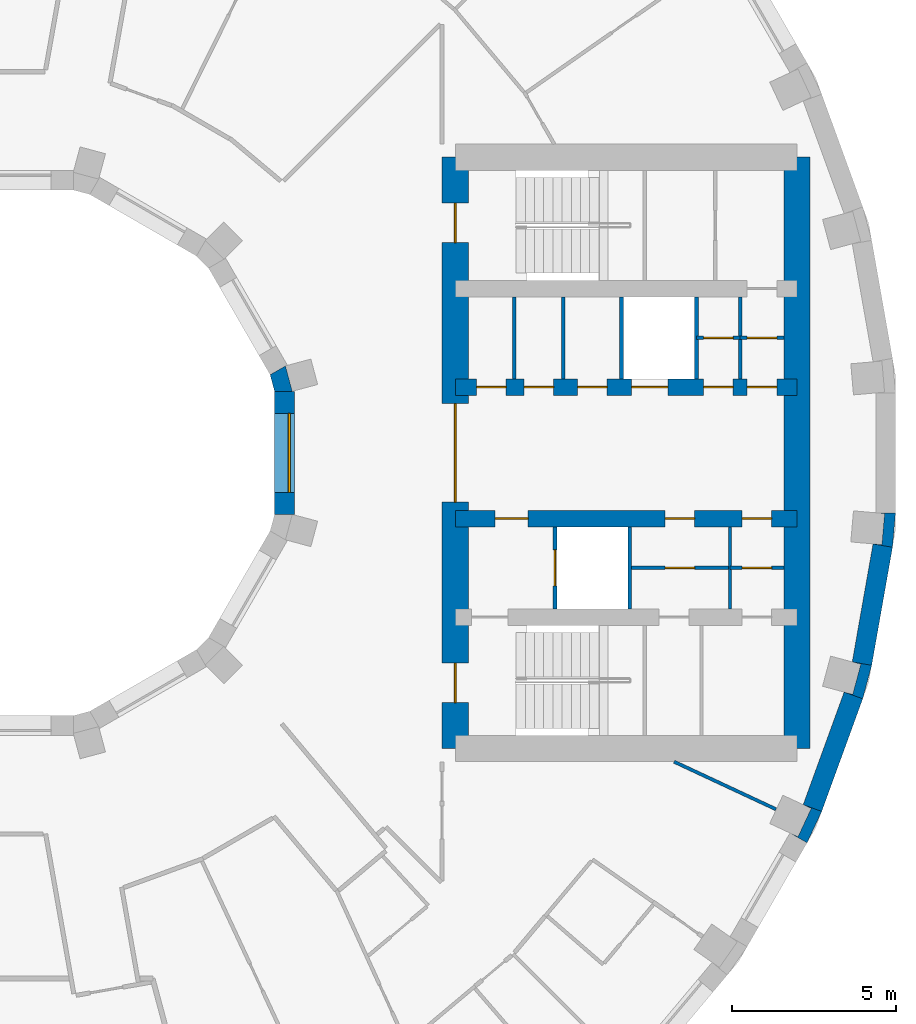
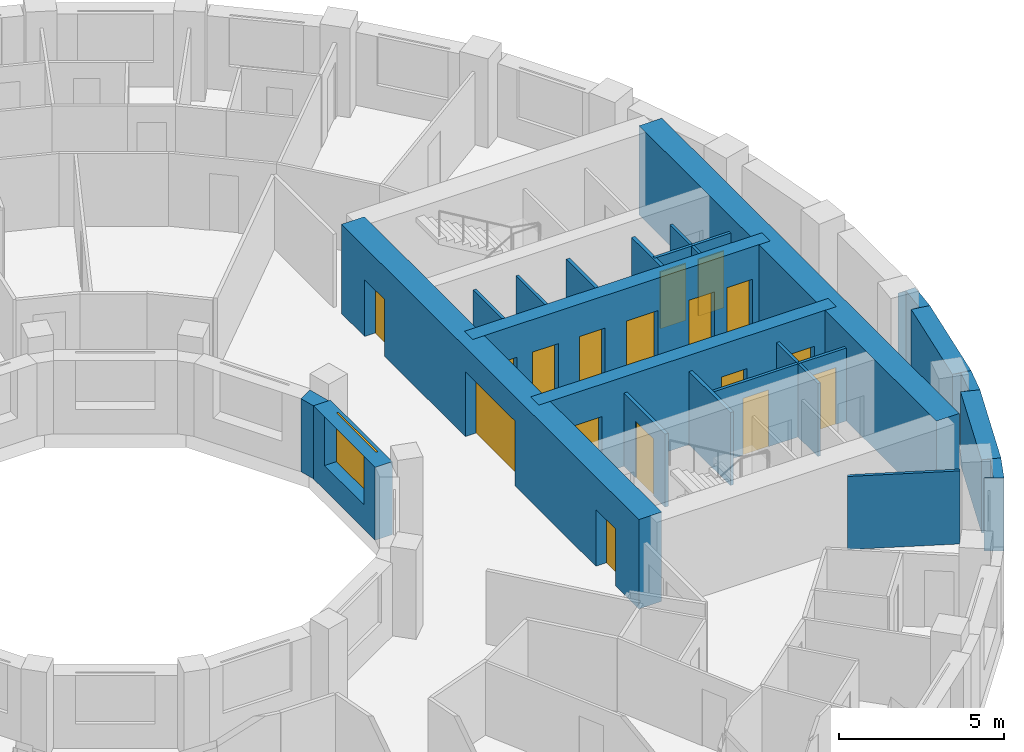
# One storey, part 10 of 16: 24 walls, 17 doors, 1 window, 18 openings.
"""IFC4 building model written with IfcOpenShell, lengths in metres."""

from ifc_helpers import new_model, si_unit, direction, frame, frame_2d, origin, place, context, subcontext, project, spatial, polyline, rectangle, outline, extrude, material, layer, layer_set, type_object, element, fill, save


model = new_model("IFC4")

# Units and contexts
model_context = context("Model", 3, precision=1e-05, world=origin(), true_north=direction((0.0, 1.0)))
body_context = subcontext(model_context, "Body", "Model", "MODEL_VIEW")
ifc_project = project(units=[si_unit("LENGTHUNIT", "METRE"), si_unit("AREAUNIT", "SQUARE_METRE"), si_unit("VOLUMEUNIT", "CUBIC_METRE"), si_unit("PLANEANGLEUNIT", "RADIAN"), si_unit("MASSUNIT", "GRAM", prefix="KILO")], contexts=[model_context])

# Site, building, storey
site_placement = place(None, origin())
site = spatial("IfcSite", under=ifc_project, at=site_placement, CompositionType="ELEMENT")
building_placement = place(site_placement, origin())
building = spatial("IfcBuilding", under=site, at=building_placement, Name="Saqina Gate Tower", CompositionType="ELEMENT")
storey_placement = place(building_placement, frame((0.0, 0.0, 148.0)))
storey = spatial("IfcBuildingStorey", under=building, at=storey_placement, Name="L42", CompositionType="ELEMENT", Elevation=148.0)

# Walls
ifc_material_1 = material(Name="Brick masonry (buff)", Category="masonry")
wall_type_1 = type_object("IfcWallType", Name="BRICK PIER COPING BUFF", PredefinedType="SOLIDWALL", material=ifc_material_1)
wall_1_placement = place(storey_placement, origin())
element("IfcWall", 1, at=wall_1_placement, inside=storey, type_object=wall_type_1, Name="Pier cap L42 column 34", PredefinedType="SOLIDWALL", context=body_context, shape_type="SweptSolid", body=[
    extrude(outline(polyline([(24.6513671875, -10.913330078125), (24.08740234375, -10.7080078125), (24.331298828125, -10.82177734375), (23.9296875, -11.6826171875), (23.68603515625, -11.569091796875), (24.205810546875, -11.869140625), (24.6513671875, -10.913330078125)])), origin(), (0.0, 0.0, 1.0), 2.699951171875),
])
wall_2_placement = place(storey_placement, origin())
element("IfcWall", 2, at=wall_2_placement, inside=storey, type_object=wall_type_1, Name="Pier cap L42 column 35", PredefinedType="SOLIDWALL", context=body_context, shape_type="SweptSolid", body=[
    extrude(outline(polyline([(25.89892578125, -7.485595703125), (26.171875, -6.466796875), (25.5810546875, -6.36279296875), (25.8408203125, -6.43212890625), (25.5947265625, -7.349853515625), (25.335205078125, -7.2802734375), (25.89892578125, -7.485595703125)])), origin(), (0.0, 0.0, 1.0), 2.699951171875),
])
wall_3_placement = place(storey_placement, origin())
element("IfcWall", 3, at=wall_3_placement, inside=storey, type_object=wall_type_1, Name="Pier cap L42 column 36", PredefinedType="SOLIDWALL", context=body_context, shape_type="SweptSolid", body=[
    extrude(outline(polyline([(26.805419921875, -2.87451171875), (26.897216796875, -1.823974609375), (26.29736328125, -1.823974609375), (26.565185546875, -1.847412109375), (26.482421875, -2.793701171875), (26.214599609375, -2.770263671875), (26.805419921875, -2.87451171875)])), origin(), (0.0, 0.0, 1.0), 2.699951171875),
])
ifc_material_2 = material(Name="Gypsum board on steel studs", Category="steel")
ifc_layer_1 = layer(ifc_material_2, 0.10009765625)
ifc_layer_set_1 = layer_set([ifc_layer_1], Name="CORE PARTITION")
wall_type_2 = type_object("IfcWallType", Name="CORE PARTITION", PredefinedType="PARTITIONING", material=ifc_layer_set_1)
for number, where, z_axis, x_axis, name in (
    (4, (15.298095703125, 2.25, 0.0), (0.0, 0.0, 1.0), (0.0, 1.0, 0.0), "L42-CP-E01"),
    (5, (16.789306640625, 2.25, 0.0), (0.0, 0.0, 1.0), (0.0, 1.0, 0.0), "L42-CP-E02"),
    (6, (22.169921875, 2.25, 0.0), (0.0, 0.0, 1.0), (0.0, 1.0, 0.0), "L42-CP-E05"),
    (7, (21.8583984375, -4.75, 0.0), (0.0, 0.0, 1.0), (0.0, 1.0, 0.0), "L42-CP-E08"),
):
    element("IfcWall", number, at=place(storey_placement, frame(where, z_axis=z_axis, x_axis=x_axis)), inside=storey, type_object=wall_type_2, Name=name, PredefinedType="PARTITIONING", context=body_context, shape_type="SweptSolid", body=[
        extrude(rectangle(XDim=2.5, YDim=0.10009765625, at=frame_2d((1.25, 0.0))), origin(), (0.0, 0.0, 1.0), 2.699951171875),
    ])

# Wall, opening, door
wall_4_placement = place(storey_placement, frame((20.840087890625, 3.5, 0.0), z_axis=(0.0, 0.0, 1.0), x_axis=(1.0, 0.0, 0.0)))
wall_4 = element("IfcWall", 8, at=wall_4_placement, inside=storey, type_object=wall_type_2, Name="L42-CP-E09", PredefinedType="PARTITIONING", context=body_context, shape_type="SweptSolid", body=[
    extrude(rectangle(XDim=1.329833984375, YDim=0.10009765625, at=frame_2d((0.6650390625, 0.0))), origin(), (0.0, 0.0, 1.0), 2.699951171875),
])
opening_1_placement = place(wall_4_placement, frame((0.215087890625, 0.0, 0.0)))
opening_1 = element("IfcOpeningElement", 9, at=opening_1_placement, cuts=wall_4, Name="Opening G12-D99", PredefinedType="OPENING", context=body_context, shape_type="SweptSolid", body=[
    extrude(rectangle(XDim=0.89990234375, YDim=2.10009765625, at=frame_2d((0.449951171875, 1.050048828125))), frame((0.0, 0.06201171875, 0.0), z_axis=(0.0, -1.0, 0.0), x_axis=(1.0, 0.0, 0.0)), (0.0, 0.0, 1.0), 0.1240234375),
])
ifc_material_3 = material(Name="Steel-framed fire door leaf, EI 60", Category="steel")
door_type_1 = type_object("IfcDoorType", Name="SERVICE ROOM DOOR 900", OperationType="SINGLE_SWING_LEFT", PredefinedType="DOOR", material=ifc_material_3)
door_1_placement = place(opening_1_placement, origin())
door_1 = element("IfcDoor", 10, at=door_1_placement, inside=storey, type_object=door_type_1, Name="L42-CD-E10", OperationType="SINGLE_SWING_LEFT", OverallHeight=2.10009765625, OverallWidth=0.89990234375, PredefinedType="DOOR", context=body_context, shape_type="SweptSolid", body=[
    extrude(rectangle(XDim=0.89990234375, YDim=2.10009765625, at=frame_2d((0.449951171875, 1.050048828125))), frame((0.0, 0.02490234375, 0.0), z_axis=(0.0, -1.0, 0.0), x_axis=(1.0, 0.0, 0.0)), (0.0, 0.0, 1.0), 0.050048828125),
])
fill(opening_1, door_1)

wall_5_placement = place(storey_placement, frame((22.169921875, 3.5, 0.0), z_axis=(0.0, 0.0, 1.0), x_axis=(1.0, 0.0, 0.0)))
wall_5 = element("IfcWall", 11, at=wall_5_placement, inside=storey, type_object=wall_type_2, Name="L42-CP-E10", PredefinedType="PARTITIONING", context=body_context, shape_type="SweptSolid", body=[
    extrude(rectangle(XDim=1.330078125, YDim=0.10009765625, at=frame_2d((0.6650390625, 0.0))), origin(), (0.0, 0.0, 1.0), 2.699951171875),
])
opening_2_placement = place(wall_5_placement, frame((0.215087890625, 0.0, 0.0)))
opening_2 = element("IfcOpeningElement", 12, at=opening_2_placement, cuts=wall_5, Name="Opening G12-D98", PredefinedType="OPENING", context=body_context, shape_type="SweptSolid", body=[
    extrude(rectangle(XDim=0.89990234375, YDim=2.10009765625, at=frame_2d((0.449951171875, 1.050048828125))), frame((0.0, 0.06201171875, 0.0), z_axis=(0.0, -1.0, 0.0), x_axis=(1.0, 0.0, 0.0)), (0.0, 0.0, 1.0), 0.1240234375),
])
door_2_placement = place(opening_2_placement, origin())
door_2 = element("IfcDoor", 13, at=door_2_placement, inside=storey, type_object=door_type_1, Name="L42-CD-E09", OperationType="SINGLE_SWING_RIGHT", OverallHeight=2.10009765625, OverallWidth=0.89990234375, PredefinedType="DOOR", context=body_context, shape_type="SweptSolid", body=[
    extrude(rectangle(XDim=0.89990234375, YDim=2.10009765625, at=frame_2d((0.449951171875, 1.050048828125))), frame((0.0, 0.02490234375, 0.0), z_axis=(0.0, -1.0, 0.0), x_axis=(1.0, 0.0, 0.0)), (0.0, 0.0, 1.0), 0.050048828125),
])
fill(opening_2, door_2)

wall_6_placement = place(storey_placement, frame((18.81005859375, -3.5, 0.0), z_axis=(0.0, 0.0, 1.0), x_axis=(1.0, 0.0, 0.0)))
wall_6 = element("IfcWall", 14, at=wall_6_placement, inside=storey, type_object=wall_type_2, Name="L42-CP-E11", PredefinedType="PARTITIONING", context=body_context, shape_type="SweptSolid", body=[
    extrude(rectangle(XDim=3.04833984375, YDim=0.10009765625, at=frame_2d((1.524169921875, 0.0))), origin(), (0.0, 0.0, 1.0), 2.699951171875),
])
opening_3_placement = place(wall_6_placement, frame((1.07421875, 0.0, 0.0)))
opening_3 = element("IfcOpeningElement", 15, at=opening_3_placement, cuts=wall_6, Name="Opening G12-D103", PredefinedType="OPENING", context=body_context, shape_type="SweptSolid", body=[
    extrude(rectangle(XDim=0.89990234375, YDim=2.10009765625, at=frame_2d((0.449951171875, 1.050048828125))), frame((0.0, 0.06201171875, 0.0), z_axis=(0.0, -1.0, 0.0), x_axis=(1.0, 0.0, 0.0)), (0.0, 0.0, 1.0), 0.1240234375),
])
door_3_placement = place(opening_3_placement, frame((0.89990234375, 0.0, 0.0), z_axis=(0.0, 0.0, 1.0), x_axis=(-1.0, 0.0, 0.0)))
door_3 = element("IfcDoor", 16, at=door_3_placement, inside=storey, type_object=door_type_1, Name="L42-CD-E14", OperationType="SINGLE_SWING_RIGHT", OverallHeight=2.10009765625, OverallWidth=0.89990234375, PredefinedType="DOOR", context=body_context, shape_type="SweptSolid", body=[
    extrude(rectangle(XDim=0.89990234375, YDim=2.10009765625, at=frame_2d((0.449951171875, 1.050048828125))), frame((0.0, 0.02490234375, 0.0), z_axis=(0.0, -1.0, 0.0), x_axis=(1.0, 0.0, 0.0)), (0.0, 0.0, 1.0), 0.050048828125),
])
fill(opening_3, door_3)

wall_7_placement = place(storey_placement, frame((21.8583984375, -3.5, 0.0), z_axis=(0.0, 0.0, 1.0), x_axis=(1.0, 0.0, 0.0)))
wall_7 = element("IfcWall", 17, at=wall_7_placement, inside=storey, type_object=wall_type_2, Name="L42-CP-E12", PredefinedType="PARTITIONING", context=body_context, shape_type="SweptSolid", body=[
    extrude(rectangle(XDim=1.6416015625, YDim=0.10009765625, at=frame_2d((0.82080078125, 0.0))), origin(), (0.0, 0.0, 1.0), 2.699951171875),
])
opening_4_placement = place(wall_7_placement, frame((0.370849609375, 0.0, 0.0)))
opening_4 = element("IfcOpeningElement", 18, at=opening_4_placement, cuts=wall_7, Name="Opening G12-D102", PredefinedType="OPENING", context=body_context, shape_type="SweptSolid", body=[
    extrude(rectangle(XDim=0.89990234375, YDim=2.10009765625, at=frame_2d((0.449951171875, 1.050048828125))), frame((0.0, 0.06201171875, 0.0), z_axis=(0.0, -1.0, 0.0), x_axis=(1.0, 0.0, 0.0)), (0.0, 0.0, 1.0), 0.1240234375),
])
door_4_placement = place(opening_4_placement, frame((0.89990234375, 0.0, 0.0), z_axis=(0.0, 0.0, 1.0), x_axis=(-1.0, 0.0, 0.0)))
door_4 = element("IfcDoor", 19, at=door_4_placement, inside=storey, type_object=door_type_1, Name="L42-CD-E13", OperationType="SINGLE_SWING_LEFT", OverallHeight=2.10009765625, OverallWidth=0.89990234375, PredefinedType="DOOR", context=body_context, shape_type="SweptSolid", body=[
    extrude(rectangle(XDim=0.89990234375, YDim=2.10009765625, at=frame_2d((0.449951171875, 1.050048828125))), frame((0.0, 0.02490234375, 0.0), z_axis=(0.0, -1.0, 0.0), x_axis=(1.0, 0.0, 0.0)), (0.0, 0.0, 1.0), 0.050048828125),
])
fill(opening_4, door_4)

# Walls
ifc_material_4 = material(Name="Glazed ceramic tile", Category="ceramic")
ifc_layer_2 = layer(ifc_material_4, 0.60009765625)
ifc_layer_set_2 = layer_set([ifc_layer_2], Name="FW-TILE")
wall_type_3 = type_object("IfcWallType", Name="FW-TILE", PredefinedType="SOLIDWALL", material=ifc_layer_set_2)
wall_8_placement = place(storey_placement, frame((25.87646484375, -6.414794921875, 0.0), z_axis=(0.0, 0.0, 1.0), x_axis=(0.173670796382, 0.984803764455, 0.0)))
element("IfcWall", 20, at=wall_8_placement, inside=storey, type_object=wall_type_3, Name="Facade wall L42 facet 35", PredefinedType="SOLIDWALL", context=body_context, shape_type="SweptSolid", body=[
    extrude(rectangle(XDim=3.64794921875, YDim=0.60009765625, at=frame_2d((1.823974609375, 0.0))), origin(), (0.0, 0.0, 1.0), 2.699951171875),
])
ifc_material_5 = material(Name="Glazed ceramic tile (white)", Category="ceramic")
ifc_layer_3 = layer(ifc_material_5, 0.60009765625)
ifc_layer_set_3 = layer_set([ifc_layer_3], Name="FW-TILE-WH")
wall_type_4 = type_object("IfcWallType", Name="FW-TILE-WH", PredefinedType="SOLIDWALL", material=ifc_layer_set_3)
wall_9_placement = place(storey_placement, frame((24.369384765625, -10.810791015625, 0.0), z_axis=(0.0, 0.0, 1.0), x_axis=(0.341990236633, 0.939703505393, 0.0)))
element("IfcWall", 21, at=wall_9_placement, inside=storey, type_object=wall_type_4, Name="Facade wall L42 facet 34", PredefinedType="SOLIDWALL", context=body_context, shape_type="SweptSolid", body=[
    extrude(rectangle(XDim=3.64794921875, YDim=0.60009765625, at=frame_2d((1.823974609375, 0.0))), origin(), (0.0, 0.0, 1.0), 2.699951171875),
])

# Wall, opening, window
ifc_material_6 = material(Name="Glazed ceramic tile", Category="ceramic")
ifc_layer_4 = layer(ifc_material_6, 0.60009765625)
ifc_layer_set_4 = layer_set([ifc_layer_4], Name="IW-TILE")
wall_type_5 = type_object("IfcWallType", Name="IW-TILE", PredefinedType="SOLIDWALL", material=ifc_layer_set_4)
wall_10_placement = place(storey_placement, frame((8.300048828125, -1.873779296875, 0.0), z_axis=(0.0, 0.0, 1.0), x_axis=(0.0, 1.0, 0.0)))
wall_10 = element("IfcWall", 22, at=wall_10_placement, inside=storey, type_object=wall_type_5, Name="Well wall L42 facet 12", PredefinedType="SOLIDWALL", context=body_context, shape_type="SweptSolid", body=[
    extrude(rectangle(XDim=3.74755859375, YDim=0.60009765625, at=frame_2d((1.873779296875, 0.0))), origin(), (0.0, 0.0, 1.0), 2.699951171875),
])
opening_5_placement = place(wall_10_placement, frame((0.673583984375, 0.0, 0.89990234375)))
opening_5 = element("IfcOpeningElement", 23, at=opening_5_placement, cuts=wall_10, Name="Opening G12-W34", PredefinedType="OPENING", context=body_context, shape_type="SweptSolid", body=[
    extrude(rectangle(XDim=2.39990234375, YDim=1.800048828125, at=frame_2d((1.199951171875, 0.89990234375))), frame((0.0, 0.31201171875, 0.0), z_axis=(0.0, -1.0, 0.0), x_axis=(1.0, 0.0, 0.0)), (0.0, 0.0, 1.0), 0.6240234375),
])
ifc_material_7 = material(Name="Aluminium glazing", Category="aluminium")
window_type = type_object("IfcWindowType", Name="WN-W", PartitioningType="SINGLE_PANEL", PredefinedType="WINDOW", material=ifc_material_7)
window_placement = place(opening_5_placement, origin())
window = element("IfcWindow", 24, at=window_placement, inside=storey, type_object=window_type, Name="Well window L42 facet 12", OverallHeight=1.800048828125, OverallWidth=2.39990234375, PartitioningType="SINGLE_PANEL", PredefinedType="WINDOW", context=body_context, shape_type="SweptSolid", body=[
    extrude(rectangle(XDim=2.39990234375, YDim=1.800048828125, at=frame_2d((1.199951171875, 0.89990234375))), frame((0.0, -0.119873046875, 0.0), z_axis=(0.0, -1.0, 0.0), x_axis=(1.0, 0.0, 0.0)), (0.0, 0.0, 1.0), 0.06005859375),
])
fill(opening_5, window)

# Walls
ifc_material_8 = material(Name="Gypsum board on steel studs, 100 mm", Category="steel")
ifc_layer_5 = layer(ifc_material_8, 0.10009765625)
ifc_layer_set_5 = layer_set([ifc_layer_5], Name="PARTITION 100")
wall_type_6 = type_object("IfcWallType", Name="PARTITION 100", PredefinedType="PARTITIONING", material=ifc_layer_set_5)
wall_11_placement = place(storey_placement, frame((20.159912109375, -9.39990234375, 0.0), z_axis=(0.0, 0.0, 1.0), x_axis=(0.906121146584, -0.423018282954, 0.0)))
element("IfcWall", 25, at=wall_11_placement, inside=storey, type_object=wall_type_6, Name="PARTITION PW3-46", PredefinedType="PARTITIONING", context=body_context, shape_type="SweptSolid", body=[
    extrude(rectangle(XDim=3.42138671875, YDim=0.10009765625, at=frame_2d((1.710693359375, 0.0))), origin(), (0.0, 0.0, 1.0), 2.699951171875),
])
ifc_material_9 = material(Name="Autoclaved aerated concrete block", Category="concrete")
ifc_layer_6 = layer(ifc_material_9, 0.1201171875)
ifc_layer_set_6 = layer_set([ifc_layer_6], Name="SHAFT PARTITION")
wall_type_7 = type_object("IfcWallType", Name="SHAFT PARTITION", PredefinedType="PARTITIONING", material=ifc_layer_set_6)
for number, where, z_axis, x_axis, name in (
    (26, (18.56005859375, 2.25, 0.0), (0.0, 0.0, 1.0), (0.0, 1.0, 0.0), "L42-CP-E03"),
    (27, (20.840087890625, 2.25, 0.0), (0.0, 0.0, 1.0), (0.0, 1.0, 0.0), "L42-CP-E04"),
):
    element("IfcWall", number, at=place(storey_placement, frame(where, z_axis=z_axis, x_axis=x_axis)), inside=storey, type_object=wall_type_7, Name=name, PredefinedType="PARTITIONING", context=body_context, shape_type="SweptSolid", body=[
        extrude(rectangle(XDim=2.5, YDim=0.1201171875, at=frame_2d((1.25, 0.0))), origin(), (0.0, 0.0, 1.0), 2.699951171875),
    ])

# Wall, opening, door
wall_12_placement = place(storey_placement, frame((16.530029296875, -4.75, 0.0), z_axis=(0.0, 0.0, 1.0), x_axis=(0.0, 1.0, 0.0)))
wall_12 = element("IfcWall", 28, at=wall_12_placement, inside=storey, type_object=wall_type_7, Name="L42-CP-E06", PredefinedType="PARTITIONING", context=body_context, shape_type="SweptSolid", body=[
    extrude(rectangle(XDim=2.5, YDim=0.1201171875, at=frame_2d((1.25, 0.0))), origin(), (0.0, 0.0, 1.0), 2.699951171875),
])
opening_6_placement = place(wall_12_placement, frame((0.699951171875, 0.0, 0.0)))
opening_6 = element("IfcOpeningElement", 29, at=opening_6_placement, cuts=wall_12, Name="Opening G12-LD2", PredefinedType="OPENING", context=body_context, shape_type="SweptSolid", body=[
    extrude(rectangle(XDim=1.10009765625, YDim=2.10009765625, at=frame_2d((0.550048828125, 1.050048828125))), frame((0.0, 0.072021484375, 0.0), z_axis=(0.0, -1.0, 0.0), x_axis=(1.0, 0.0, 0.0)), (0.0, 0.0, 1.0), 0.14404296875),
])
ifc_material_10 = material(Name="Stainless steel", Category="steel")
door_type_2 = type_object("IfcDoorType", Name="LANDING DOOR", OperationType="DOUBLE_DOOR_SLIDING", PredefinedType="DOOR", material=ifc_material_10)
door_5_placement = place(opening_6_placement, origin())
door_5 = element("IfcDoor", 30, at=door_5_placement, inside=storey, type_object=door_type_2, Name="LANDING DOOR FF1", OperationType="DOUBLE_DOOR_SLIDING", OverallHeight=2.10009765625, OverallWidth=1.10009765625, PredefinedType="DOOR", context=body_context, shape_type="SweptSolid", body=[
    extrude(rectangle(XDim=1.10009765625, YDim=2.10009765625, at=frame_2d((0.550048828125, 1.050048828125))), frame((0.0, 0.02490234375, 0.0), z_axis=(0.0, -1.0, 0.0), x_axis=(1.0, 0.0, 0.0)), (0.0, 0.0, 1.0), 0.050048828125),
])
fill(opening_6, door_5)

# Wall
wall_13_placement = place(storey_placement, frame((18.81005859375, -4.75, 0.0), z_axis=(0.0, 0.0, 1.0), x_axis=(0.0, 1.0, 0.0)))
element("IfcWall", 31, at=wall_13_placement, inside=storey, type_object=wall_type_7, Name="L42-CP-E07", PredefinedType="PARTITIONING", context=body_context, shape_type="SweptSolid", body=[
    extrude(rectangle(XDim=2.5, YDim=0.1201171875, at=frame_2d((1.25, 0.0))), origin(), (0.0, 0.0, 1.0), 2.699951171875),
])

# Wall, openings, doors
ifc_material_11 = material(Name="Concrete C70/85", Category="concrete")
ifc_layer_7 = layer(ifc_material_11, 0.5)
ifc_layer_set_7 = layer_set([ifc_layer_7], Name="Concrete C70/85")
wall_type_8 = type_object("IfcWallType", Name="STR-CORE WALL-B-I", PredefinedType="SHEAR", material=ifc_layer_set_7)
wall_14_placement = place(storey_placement, frame((13.5, 2.0, 0.0), z_axis=(0.0, 0.0, 1.0), x_axis=(1.0, 0.0, 0.0)))
wall_14 = element("IfcWall", 32, at=wall_14_placement, inside=storey, type_object=wall_type_8, Name="CORE WALL L42 E-L1", PredefinedType="SHEAR", context=body_context, shape_type="SweptSolid", body=[
    extrude(rectangle(XDim=10.39990234375, YDim=0.5, at=frame_2d((5.199951171875, 0.0))), origin(), (0.0, 0.0, 1.0), 3.300048828125),
])
opening_7_placement = place(wall_14_placement, frame((5.3701171875, 0.0, 0.0)))
opening_7 = element("IfcOpeningElement", 33, at=opening_7_placement, cuts=wall_14, Name="Opening G12-LD1", PredefinedType="OPENING", context=body_context, shape_type="SweptSolid", body=[
    extrude(rectangle(XDim=1.10009765625, YDim=2.10009765625, at=frame_2d((0.550048828125, 1.050048828125))), frame((0.0, 0.261962890625, 0.0), z_axis=(0.0, -1.0, 0.0), x_axis=(1.0, 0.0, 0.0)), (0.0, 0.0, 1.0), 0.52392578125),
])
opening_8_placement = place(wall_14_placement, frame((0.64892578125, 0.0, 0.0)))
opening_8 = element("IfcOpeningElement", 34, at=opening_8_placement, cuts=wall_14, Name="Opening G12-D90", PredefinedType="OPENING", context=body_context, shape_type="SweptSolid", body=[
    extrude(rectangle(XDim=0.89990234375, YDim=2.10009765625, at=frame_2d((0.449951171875, 1.050048828125))), frame((0.0, 0.261962890625, 0.0), z_axis=(0.0, -1.0, 0.0), x_axis=(1.0, 0.0, 0.0)), (0.0, 0.0, 1.0), 0.52392578125),
])
opening_9_placement = place(wall_14_placement, frame((2.093505859375, 0.0, 0.0)))
opening_9 = element("IfcOpeningElement", 35, at=opening_9_placement, cuts=wall_14, Name="Opening G12-D91", PredefinedType="OPENING", context=body_context, shape_type="SweptSolid", body=[
    extrude(rectangle(XDim=0.89990234375, YDim=2.10009765625, at=frame_2d((0.449951171875, 1.050048828125))), frame((0.0, 0.261962890625, 0.0), z_axis=(0.0, -1.0, 0.0), x_axis=(1.0, 0.0, 0.0)), (0.0, 0.0, 1.0), 0.52392578125),
])
opening_10_placement = place(wall_14_placement, frame((3.724609375, 0.0, 0.0)))
opening_10 = element("IfcOpeningElement", 36, at=opening_10_placement, cuts=wall_14, Name="Opening G12-D92", PredefinedType="OPENING", context=body_context, shape_type="SweptSolid", body=[
    extrude(rectangle(XDim=0.89990234375, YDim=2.10009765625, at=frame_2d((0.449951171875, 1.050048828125))), frame((0.0, 0.261962890625, 0.0), z_axis=(0.0, -1.0, 0.0), x_axis=(1.0, 0.0, 0.0)), (0.0, 0.0, 1.0), 0.52392578125),
])
opening_11_placement = place(wall_14_placement, frame((7.554931640625, 0.0, 0.0)))
opening_11 = element("IfcOpeningElement", 37, at=opening_11_placement, cuts=wall_14, Name="Opening G12-D93", PredefinedType="OPENING", context=body_context, shape_type="SweptSolid", body=[
    extrude(rectangle(XDim=0.89990234375, YDim=2.10009765625, at=frame_2d((0.449951171875, 1.050048828125))), frame((0.0, 0.261962890625, 0.0), z_axis=(0.0, -1.0, 0.0), x_axis=(1.0, 0.0, 0.0)), (0.0, 0.0, 1.0), 0.52392578125),
])
opening_12_placement = place(wall_14_placement, frame((8.885009765625, 0.0, 0.0)))
opening_12 = element("IfcOpeningElement", 38, at=opening_12_placement, cuts=wall_14, Name="Opening G12-D94", PredefinedType="OPENING", context=body_context, shape_type="SweptSolid", body=[
    extrude(rectangle(XDim=0.89990234375, YDim=2.10009765625, at=frame_2d((0.449951171875, 1.050048828125))), frame((0.0, 0.261962890625, 0.0), z_axis=(0.0, -1.0, 0.0), x_axis=(1.0, 0.0, 0.0)), (0.0, 0.0, 1.0), 0.52392578125),
])
door_6_placement = place(opening_7_placement, origin())
door_6 = element("IfcDoor", 39, at=door_6_placement, inside=storey, type_object=door_type_2, Name="LANDING DOOR MR1", OperationType="DOUBLE_DOOR_SLIDING", OverallHeight=2.10009765625, OverallWidth=1.10009765625, PredefinedType="DOOR", context=body_context, shape_type="SweptSolid", body=[
    extrude(rectangle(XDim=1.10009765625, YDim=2.10009765625, at=frame_2d((0.550048828125, 1.050048828125))), frame((0.0, 0.02490234375, 0.0), z_axis=(0.0, -1.0, 0.0), x_axis=(1.0, 0.0, 0.0)), (0.0, 0.0, 1.0), 0.050048828125),
])
fill(opening_7, door_6)
door_7_placement = place(opening_8_placement, origin())
door_7 = element("IfcDoor", 40, at=door_7_placement, inside=storey, type_object=door_type_1, Name="L42-CD-E01", OperationType="SINGLE_SWING_LEFT", OverallHeight=2.10009765625, OverallWidth=0.89990234375, PredefinedType="DOOR", context=body_context, shape_type="SweptSolid", body=[
    extrude(rectangle(XDim=0.89990234375, YDim=2.10009765625, at=frame_2d((0.449951171875, 1.050048828125))), frame((0.0, 0.02490234375, 0.0), z_axis=(0.0, -1.0, 0.0), x_axis=(1.0, 0.0, 0.0)), (0.0, 0.0, 1.0), 0.050048828125),
])
fill(opening_8, door_7)
door_8_placement = place(opening_9_placement, origin())
door_8 = element("IfcDoor", 41, at=door_8_placement, inside=storey, type_object=door_type_1, Name="L42-CD-E02", OperationType="SINGLE_SWING_LEFT", OverallHeight=2.10009765625, OverallWidth=0.89990234375, PredefinedType="DOOR", context=body_context, shape_type="SweptSolid", body=[
    extrude(rectangle(XDim=0.89990234375, YDim=2.10009765625, at=frame_2d((0.449951171875, 1.050048828125))), frame((0.0, 0.02490234375, 0.0), z_axis=(0.0, -1.0, 0.0), x_axis=(1.0, 0.0, 0.0)), (0.0, 0.0, 1.0), 0.050048828125),
])
fill(opening_9, door_8)
door_9_placement = place(opening_10_placement, origin())
door_9 = element("IfcDoor", 42, at=door_9_placement, inside=storey, type_object=door_type_1, Name="L42-CD-E03", OperationType="SINGLE_SWING_RIGHT", OverallHeight=2.10009765625, OverallWidth=0.89990234375, PredefinedType="DOOR", context=body_context, shape_type="SweptSolid", body=[
    extrude(rectangle(XDim=0.89990234375, YDim=2.10009765625, at=frame_2d((0.449951171875, 1.050048828125))), frame((0.0, 0.02490234375, 0.0), z_axis=(0.0, -1.0, 0.0), x_axis=(1.0, 0.0, 0.0)), (0.0, 0.0, 1.0), 0.050048828125),
])
fill(opening_10, door_9)
door_10_placement = place(opening_11_placement, origin())
door_10 = element("IfcDoor", 43, at=door_10_placement, inside=storey, type_object=door_type_1, Name="L42-CD-E04", OperationType="SINGLE_SWING_LEFT", OverallHeight=2.10009765625, OverallWidth=0.89990234375, PredefinedType="DOOR", context=body_context, shape_type="SweptSolid", body=[
    extrude(rectangle(XDim=0.89990234375, YDim=2.10009765625, at=frame_2d((0.449951171875, 1.050048828125))), frame((0.0, 0.02490234375, 0.0), z_axis=(0.0, -1.0, 0.0), x_axis=(1.0, 0.0, 0.0)), (0.0, 0.0, 1.0), 0.050048828125),
])
fill(opening_11, door_10)
door_11_placement = place(opening_12_placement, origin())
door_11 = element("IfcDoor", 44, at=door_11_placement, inside=storey, type_object=door_type_1, Name="L42-CD-E05", OperationType="SINGLE_SWING_RIGHT", OverallHeight=2.10009765625, OverallWidth=0.89990234375, PredefinedType="DOOR", context=body_context, shape_type="SweptSolid", body=[
    extrude(rectangle(XDim=0.89990234375, YDim=2.10009765625, at=frame_2d((0.449951171875, 1.050048828125))), frame((0.0, 0.02490234375, 0.0), z_axis=(0.0, -1.0, 0.0), x_axis=(1.0, 0.0, 0.0)), (0.0, 0.0, 1.0), 0.050048828125),
])
fill(opening_12, door_11)

wall_15_placement = place(storey_placement, frame((13.5, -2.0, 0.0), z_axis=(0.0, 0.0, 1.0), x_axis=(1.0, 0.0, 0.0)))
wall_15 = element("IfcWall", 45, at=wall_15_placement, inside=storey, type_object=wall_type_8, Name="CORE WALL L42 E-L2", PredefinedType="SHEAR", context=body_context, shape_type="SweptSolid", body=[
    extrude(rectangle(XDim=10.39990234375, YDim=0.5, at=frame_2d((5.199951171875, 0.0))), origin(), (0.0, 0.0, 1.0), 3.300048828125),
])
opening_13_placement = place(wall_15_placement, frame((1.215087890625, 0.0, 0.0)))
opening_13 = element("IfcOpeningElement", 46, at=opening_13_placement, cuts=wall_15, Name="Opening G12-D95", PredefinedType="OPENING", context=body_context, shape_type="SweptSolid", body=[
    extrude(rectangle(XDim=1.0, YDim=2.10009765625, at=frame_2d((0.5, 1.050048828125))), frame((0.0, 0.261962890625, 0.0), z_axis=(0.0, -1.0, 0.0), x_axis=(1.0, 0.0, 0.0)), (0.0, 0.0, 1.0), 0.52392578125),
])
opening_14_placement = place(wall_15_placement, frame((6.38427734375, 0.0, 0.0)))
opening_14 = element("IfcOpeningElement", 47, at=opening_14_placement, cuts=wall_15, Name="Opening G12-D96", PredefinedType="OPENING", context=body_context, shape_type="SweptSolid", body=[
    extrude(rectangle(XDim=0.89990234375, YDim=2.10009765625, at=frame_2d((0.449951171875, 1.050048828125))), frame((0.0, 0.261962890625, 0.0), z_axis=(0.0, -1.0, 0.0), x_axis=(1.0, 0.0, 0.0)), (0.0, 0.0, 1.0), 0.52392578125),
])
opening_15_placement = place(wall_15_placement, frame((8.729248046875, 0.0, 0.0)))
opening_15 = element("IfcOpeningElement", 48, at=opening_15_placement, cuts=wall_15, Name="Opening G12-D97", PredefinedType="OPENING", context=body_context, shape_type="SweptSolid", body=[
    extrude(rectangle(XDim=0.89990234375, YDim=2.10009765625, at=frame_2d((0.449951171875, 1.050048828125))), frame((0.0, 0.261962890625, 0.0), z_axis=(0.0, -1.0, 0.0), x_axis=(1.0, 0.0, 0.0)), (0.0, 0.0, 1.0), 0.52392578125),
])
ifc_material_12 = material(Name="Steel", Category="steel")
door_type_3 = type_object("IfcDoorType", Name="FIRE LOBBY DOOR EI 60", OperationType="SINGLE_SWING_LEFT", PredefinedType="DOOR", material=ifc_material_12)
door_12_placement = place(opening_13_placement, origin())
door_12 = element("IfcDoor", 49, at=door_12_placement, inside=storey, type_object=door_type_3, Name="L42-CD-E06", OperationType="SINGLE_SWING_LEFT", OverallHeight=2.10009765625, OverallWidth=1.0, PredefinedType="DOOR", context=body_context, shape_type="SweptSolid", body=[
    extrude(rectangle(XDim=1.0, YDim=2.10009765625, at=frame_2d((0.5, 1.050048828125))), frame((0.0, 0.02490234375, 0.0), z_axis=(0.0, -1.0, 0.0), x_axis=(1.0, 0.0, 0.0)), (0.0, 0.0, 1.0), 0.050048828125),
])
fill(opening_13, door_12)
door_13_placement = place(opening_14_placement, frame((0.89990234375, 0.0, 0.0), z_axis=(0.0, 0.0, 1.0), x_axis=(-1.0, 0.0, 0.0)))
door_13 = element("IfcDoor", 50, at=door_13_placement, inside=storey, type_object=door_type_1, Name="L42-CD-E07", OperationType="SINGLE_SWING_LEFT", OverallHeight=2.10009765625, OverallWidth=0.89990234375, PredefinedType="DOOR", context=body_context, shape_type="SweptSolid", body=[
    extrude(rectangle(XDim=0.89990234375, YDim=2.10009765625, at=frame_2d((0.449951171875, 1.050048828125))), frame((0.0, 0.02490234375, 0.0), z_axis=(0.0, -1.0, 0.0), x_axis=(1.0, 0.0, 0.0)), (0.0, 0.0, 1.0), 0.050048828125),
])
fill(opening_14, door_13)
door_14_placement = place(opening_15_placement, frame((0.89990234375, 0.0, 0.0), z_axis=(0.0, 0.0, 1.0), x_axis=(-1.0, 0.0, 0.0)))
door_14 = element("IfcDoor", 51, at=door_14_placement, inside=storey, type_object=door_type_1, Name="L42-CD-E08", OperationType="SINGLE_SWING_LEFT", OverallHeight=2.10009765625, OverallWidth=0.89990234375, PredefinedType="DOOR", context=body_context, shape_type="SweptSolid", body=[
    extrude(rectangle(XDim=0.89990234375, YDim=2.10009765625, at=frame_2d((0.449951171875, 1.050048828125))), frame((0.0, 0.02490234375, 0.0), z_axis=(0.0, -1.0, 0.0), x_axis=(1.0, 0.0, 0.0)), (0.0, 0.0, 1.0), 0.050048828125),
])
fill(opening_15, door_14)

ifc_material_13 = material(Name="Concrete C70/85", Category="concrete")
ifc_layer_8 = layer(ifc_material_13, 0.800048828125)
ifc_layer_set_8 = layer_set([ifc_layer_8], Name="Concrete C70/85")
wall_type_9 = type_object("IfcWallType", Name="STR-CORE WALL-B-O", PredefinedType="SHEAR", material=ifc_layer_set_8)
wall_16_placement = place(storey_placement, frame((13.5, -9.0, 0.0), z_axis=(0.0, 0.0, 1.0), x_axis=(0.0, 1.0, 0.0)))
wall_16 = element("IfcWall", 52, at=wall_16_placement, inside=storey, type_object=wall_type_9, Name="CORE WALL L42 E-W1", PredefinedType="SHEAR", context=body_context, shape_type="SweptSolid", body=[
    extrude(rectangle(XDim=18.0, YDim=0.800048828125, at=frame_2d((9.0, 0.0))), origin(), (0.0, 0.0, 1.0), 3.300048828125),
])
opening_16_placement = place(wall_16_placement, frame((15.39990234375, 0.0, 0.0)))
opening_16 = element("IfcOpeningElement", 53, at=opening_16_placement, cuts=wall_16, Name="Opening G12-D107", PredefinedType="OPENING", context=body_context, shape_type="SweptSolid", body=[
    extrude(rectangle(XDim=1.199951171875, YDim=2.10009765625, at=frame_2d((0.60009765625, 1.050048828125))), frame((0.0, 0.412109375, 0.0), z_axis=(0.0, -1.0, 0.0), x_axis=(1.0, 0.0, 0.0)), (0.0, 0.0, 1.0), 0.823974609375),
])
opening_17_placement = place(wall_16_placement, frame((1.39990234375, 0.0, 0.0)))
opening_17 = element("IfcOpeningElement", 54, at=opening_17_placement, cuts=wall_16, Name="Opening G12-D108", PredefinedType="OPENING", context=body_context, shape_type="SweptSolid", body=[
    extrude(rectangle(XDim=1.199951171875, YDim=2.10009765625, at=frame_2d((0.60009765625, 1.050048828125))), frame((0.0, 0.412109375, 0.0), z_axis=(0.0, -1.0, 0.0), x_axis=(1.0, 0.0, 0.0)), (0.0, 0.0, 1.0), 0.823974609375),
])
opening_18_placement = place(wall_16_placement, frame((7.5, 0.0, 0.0)))
opening_18 = element("IfcOpeningElement", 55, at=opening_18_placement, cuts=wall_16, Name="Opening G12-D109", PredefinedType="OPENING", context=body_context, shape_type="SweptSolid", body=[
    extrude(rectangle(XDim=3.0, YDim=2.39990234375, at=frame_2d((1.5, 1.199951171875))), frame((0.0, 0.412109375, 0.0), z_axis=(0.0, -1.0, 0.0), x_axis=(1.0, 0.0, 0.0)), (0.0, 0.0, 1.0), 0.823974609375),
])
ifc_material_14 = material(Name="Steel", Category="steel")
door_type_4 = type_object("IfcDoorType", Name="FIRE DOOR EI 60", OperationType="SINGLE_SWING_LEFT", PredefinedType="DOOR", material=ifc_material_14)
door_15_placement = place(opening_16_placement, frame((1.199951171875, 0.0, 0.0), z_axis=(0.0, 0.0, 1.0), x_axis=(-1.0, 0.0, 0.0)))
door_15 = element("IfcDoor", 56, at=door_15_placement, inside=storey, type_object=door_type_4, Name="L42-CD-E18", OperationType="SINGLE_SWING_LEFT", OverallHeight=2.10009765625, OverallWidth=1.199951171875, PredefinedType="DOOR", context=body_context, shape_type="SweptSolid", body=[
    extrude(rectangle(XDim=1.199951171875, YDim=2.10009765625, at=frame_2d((0.60009765625, 1.050048828125))), frame((0.0, 0.02490234375, 0.0), z_axis=(0.0, -1.0, 0.0), x_axis=(1.0, 0.0, 0.0)), (0.0, 0.0, 1.0), 0.050048828125),
])
fill(opening_16, door_15)
door_16_placement = place(opening_17_placement, frame((1.199951171875, 0.0, 0.0), z_axis=(0.0, 0.0, 1.0), x_axis=(-1.0, 0.0, 0.0)))
door_16 = element("IfcDoor", 57, at=door_16_placement, inside=storey, type_object=door_type_4, Name="L42-CD-E19", OperationType="SINGLE_SWING_RIGHT", OverallHeight=2.10009765625, OverallWidth=1.199951171875, PredefinedType="DOOR", context=body_context, shape_type="SweptSolid", body=[
    extrude(rectangle(XDim=1.199951171875, YDim=2.10009765625, at=frame_2d((0.60009765625, 1.050048828125))), frame((0.0, 0.02490234375, 0.0), z_axis=(0.0, -1.0, 0.0), x_axis=(1.0, 0.0, 0.0)), (0.0, 0.0, 1.0), 0.050048828125),
])
fill(opening_17, door_16)
ifc_material_15 = material(Name="Steel and fire-resisting glass", Category="steel")
door_type_5 = type_object("IfcDoorType", Name="LOBBY SCREEN DOOR", OperationType="DOUBLE_DOOR_SLIDING", PredefinedType="DOOR", material=ifc_material_15)
door_17_placement = place(opening_18_placement, origin())
door_17 = element("IfcDoor", 58, at=door_17_placement, inside=storey, type_object=door_type_5, Name="L42-CD-E20", OperationType="DOUBLE_DOOR_SLIDING", OverallHeight=2.39990234375, OverallWidth=3.0, PredefinedType="DOOR", context=body_context, shape_type="SweptSolid", body=[
    extrude(rectangle(XDim=3.0, YDim=2.39990234375, at=frame_2d((1.5, 1.199951171875))), frame((0.0, 0.02490234375, 0.0), z_axis=(0.0, -1.0, 0.0), x_axis=(1.0, 0.0, 0.0)), (0.0, 0.0, 1.0), 0.050048828125),
])
fill(opening_18, door_17)

# Walls
wall_17_placement = place(storey_placement, frame((23.89990234375, -9.0, 0.0), z_axis=(0.0, 0.0, 1.0), x_axis=(0.0, 1.0, 0.0)))
element("IfcWall", 59, at=wall_17_placement, inside=storey, type_object=wall_type_9, Name="CORE WALL L42 E-W2", PredefinedType="SHEAR", context=body_context, shape_type="SweptSolid", body=[
    extrude(rectangle(XDim=18.0, YDim=0.800048828125, at=frame_2d((9.0, 0.0))), origin(), (0.0, 0.0, 1.0), 3.300048828125),
])
ifc_material_16 = material(Name="Glazed ceramic tile", Category="ceramic")
wall_type_10 = type_object("IfcWallType", Name="TILE PIER COPING", PredefinedType="SOLIDWALL", material=ifc_material_16)
wall_18_placement = place(storey_placement, origin())
element("IfcWall", 60, at=wall_18_placement, inside=storey, type_object=wall_type_10, Name="Well pier cap L42 column 1", PredefinedType="SOLIDWALL", context=body_context, shape_type="SweptSolid", body=[
    extrude(outline(polyline([(8.3310546875, 2.646484375), (7.864990234375, 2.377197265625), (8.0, 1.873779296875), (8.5380859375, 1.873779296875), (8.3310546875, 2.646484375)])), origin(), (0.0, 0.0, 1.0), 2.699951171875),
])

save(model, "model.ifc")
